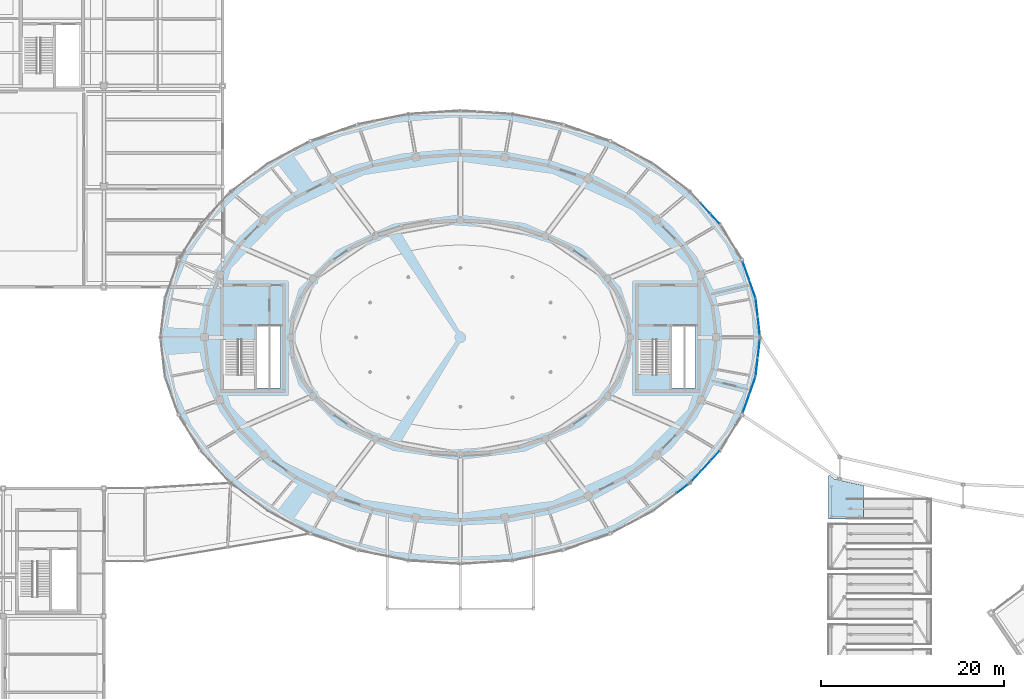
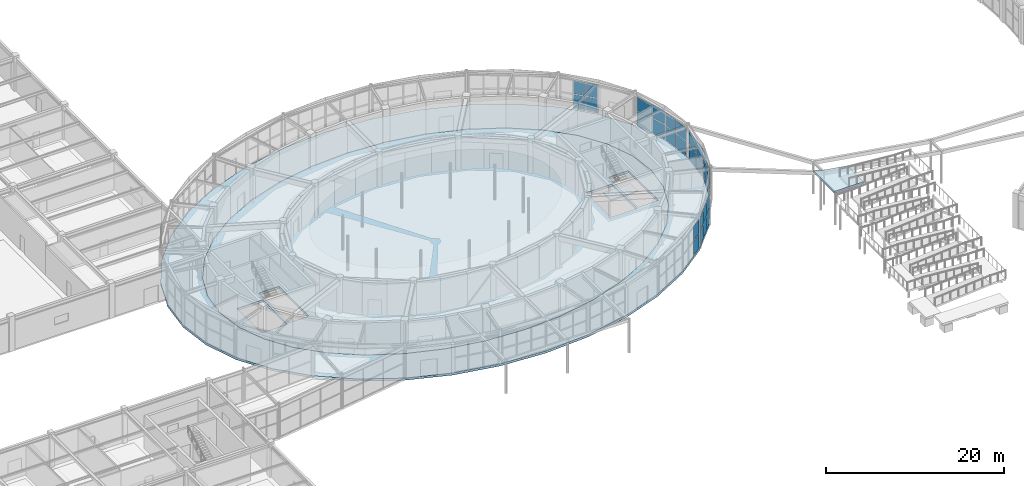
# One storey, part 80 of 108: 28 plates, 4 slabs, 9 elements without a shape of their own.
"""IFC4 building model written with IfcOpenShell, lengths in metres."""

from ifc_helpers import new_model, si_unit, direction, frame, origin, origin_2d, place, context, subcontext, project, spatial, polyline, rectangle, outline, extrude, material, layer, layer_set, type_object, element, aggregate, save


model = new_model("IFC4")

# Units and contexts
model_context = context("Model", 3, precision=1e-05, world=origin(), true_north=direction((0.0, 1.0)))
body_context = subcontext(model_context, "Body", "Model", "MODEL_VIEW")
ifc_project = project(units=[si_unit("LENGTHUNIT", "METRE"), si_unit("AREAUNIT", "SQUARE_METRE"), si_unit("VOLUMEUNIT", "CUBIC_METRE"), si_unit("PLANEANGLEUNIT", "RADIAN"), si_unit("MASSUNIT", "GRAM", prefix="KILO")], contexts=[model_context])

# Site, building, storey
site_placement = place(None, origin())
site = spatial("IfcSite", under=ifc_project, at=site_placement, CompositionType="ELEMENT")
building_placement = place(site_placement, origin())
building = spatial("IfcBuilding", under=site, at=building_placement, Name="Tarnveldt Headland Concert Hall", CompositionType="ELEMENT")
storey_placement = place(building_placement, origin())
storey = spatial("IfcBuildingStorey", under=building, at=storey_placement, Name="L00", CompositionType="ELEMENT", Elevation=0.0)

# Curtain wall, plates
ifc_material_1 = material(Name="Marine-anodised aluminium EN AW-6063-T6", Category="aluminium")
curtain_wall_type = type_object("IfcCurtainWallType", Name="CW-F1", PredefinedType="NOTDEFINED", material=ifc_material_1)
curtain_wall_1_placement = place(storey_placement, origin())
curtain_wall_1 = element("IfcCurtainWall", 1, at=curtain_wall_1_placement, inside=storey, type_object=curtain_wall_type, Name="Curtain wall CW-L00-001", PredefinedType="NOTDEFINED")
ifc_material_2 = material(Name="Acoustic laminated low-iron double glazing", Category="glass")
ifc_layer_1 = layer(ifc_material_2, 0.031982421875, Name="Acoustic laminated low-iron double glazing", Category="glass")
ifc_layer_set_1 = layer_set([ifc_layer_1], Name="Acoustic laminated low-iron double glazing")
plate_type = type_object("IfcPlateType", Name="PN-F1", PredefinedType="CURTAIN_PANEL", material=ifc_layer_set_1)
plate_1_placement = place(storey_placement, frame((116.155517578125, 55.747802734375, 0.097412109375), z_axis=(0.0, 0.0, 1.0), x_axis=(-0.114937150493, 0.9933727656, 0.0)))
plate_1 = element("IfcPlate", 2, at=plate_1_placement, type_object=plate_type, Name="Glazed panel CW-L00-001-1-1", PredefinedType="CURTAIN_PANEL", context=body_context, shape_type="SweptSolid", body=[
    extrude(rectangle(XDim=1.906982421875, YDim=0.031982421875, at=origin_2d()), origin(), (0.0, 0.0, 1.0), 1.9443359375),
])
plate_2_placement = place(storey_placement, frame((116.155517578125, 55.747802734375, 2.136962890625), z_axis=(0.0, 0.0, 1.0), x_axis=(-0.114937150493, 0.9933727656, 0.0)))
plate_2 = element("IfcPlate", 3, at=plate_2_placement, type_object=plate_type, Name="Glazed panel CW-L00-001-1-2", PredefinedType="CURTAIN_PANEL", context=body_context, shape_type="SweptSolid", body=[
    extrude(rectangle(XDim=1.906982421875, YDim=0.031982421875, at=origin_2d()), origin(), (0.0, 0.0, 1.0), 1.78369140625),
])
plate_3_placement = place(storey_placement, frame((115.922607421875, 57.760498046875, 0.097412109375), z_axis=(0.0, 0.0, 1.0), x_axis=(-0.114937150493, 0.9933727656, 0.0)))
plate_3 = element("IfcPlate", 4, at=plate_3_placement, type_object=plate_type, Name="Glazed panel CW-L00-001-2-1", PredefinedType="CURTAIN_PANEL", context=body_context, shape_type="SweptSolid", body=[
    extrude(rectangle(XDim=1.906982421875, YDim=0.031982421875, at=origin_2d()), origin(), (0.0, 0.0, 1.0), 1.9443359375),
])
plate_4_placement = place(storey_placement, frame((115.922607421875, 57.760498046875, 2.136962890625), z_axis=(0.0, 0.0, 1.0), x_axis=(-0.114937150493, 0.9933727656, 0.0)))
plate_4 = element("IfcPlate", 5, at=plate_4_placement, type_object=plate_type, Name="Glazed panel CW-L00-001-2-2", PredefinedType="CURTAIN_PANEL", context=body_context, shape_type="SweptSolid", body=[
    extrude(rectangle(XDim=1.906982421875, YDim=0.031982421875, at=origin_2d()), origin(), (0.0, 0.0, 1.0), 1.78369140625),
])
aggregate(curtain_wall_1, [plate_1, plate_2, plate_3, plate_4])

curtain_wall_2_placement = place(storey_placement, origin())
curtain_wall_2 = element("IfcCurtainWall", 6, at=curtain_wall_2_placement, inside=storey, type_object=curtain_wall_type, Name="Curtain wall CW-L00-002", PredefinedType="NOTDEFINED")
plate_5_placement = place(storey_placement, frame((115.44189453125, 59.8212890625, 0.097412109375), z_axis=(0.0, 0.0, 1.0), x_axis=(-0.334037180034, 0.94255989855, 0.0)))
plate_5 = element("IfcPlate", 7, at=plate_5_placement, type_object=plate_type, Name="Glazed panel CW-L00-002-1-1", PredefinedType="CURTAIN_PANEL", context=body_context, shape_type="SweptSolid", body=[
    extrude(rectangle(XDim=1.954345703125, YDim=0.031982421875, at=origin_2d()), origin(), (0.0, 0.0, 1.0), 2.0078125),
])
plate_6_placement = place(storey_placement, frame((115.44189453125, 59.8212890625, 2.2001953125), z_axis=(0.0, 0.0, 1.0), x_axis=(-0.334037180034, 0.94255989855, 0.0)))
plate_6 = element("IfcPlate", 8, at=plate_6_placement, type_object=plate_type, Name="Glazed panel CW-L00-002-1-2", PredefinedType="CURTAIN_PANEL", context=body_context, shape_type="SweptSolid", body=[
    extrude(rectangle(XDim=1.954345703125, YDim=0.031982421875, at=origin_2d()), origin(), (0.0, 0.0, 1.0), 1.84228515625),
])
plate_7_placement = place(storey_placement, frame((114.74951171875, 61.775634765625, 0.097412109375), z_axis=(0.0, 0.0, 1.0), x_axis=(-0.334037180034, 0.94255989855, 0.0)))
plate_7 = element("IfcPlate", 9, at=plate_7_placement, type_object=plate_type, Name="Glazed panel CW-L00-002-2-1", PredefinedType="CURTAIN_PANEL", context=body_context, shape_type="SweptSolid", body=[
    extrude(rectangle(XDim=1.954345703125, YDim=0.031982421875, at=origin_2d()), origin(), (0.0, 0.0, 1.0), 2.0078125),
])
plate_8_placement = place(storey_placement, frame((114.74951171875, 61.775634765625, 2.2001953125), z_axis=(0.0, 0.0, 1.0), x_axis=(-0.334037180034, 0.94255989855, 0.0)))
plate_8 = element("IfcPlate", 10, at=plate_8_placement, type_object=plate_type, Name="Glazed panel CW-L00-002-2-2", PredefinedType="CURTAIN_PANEL", context=body_context, shape_type="SweptSolid", body=[
    extrude(rectangle(XDim=1.954345703125, YDim=0.031982421875, at=origin_2d()), origin(), (0.0, 0.0, 1.0), 1.84228515625),
])
aggregate(curtain_wall_2, [plate_5, plate_6, plate_7, plate_8])

curtain_wall_3_placement = place(storey_placement, origin())
curtain_wall_3 = element("IfcCurtainWall", 11, at=curtain_wall_3_placement, inside=storey, type_object=curtain_wall_type, Name="Curtain wall CW-L00-003", PredefinedType="NOTDEFINED")
plate_9_placement = place(storey_placement, frame((111.364013671875, 67.48486328125, 0.097412109375), z_axis=(0.0, 0.0, 1.0), x_axis=(-0.67945411016, 0.733718005903, 0.0)))
plate_9 = element("IfcPlate", 12, at=plate_9_placement, type_object=plate_type, Name="Glazed panel CW-L00-003-1-1", PredefinedType="CURTAIN_PANEL", context=body_context, shape_type="SweptSolid", body=[
    extrude(rectangle(XDim=1.3955078125, YDim=0.031982421875, at=origin_2d()), origin(), (0.0, 0.0, 1.0), 2.0078125),
])
plate_10_placement = place(storey_placement, frame((111.364013671875, 67.48486328125, 2.2001953125), z_axis=(0.0, 0.0, 1.0), x_axis=(-0.67945411016, 0.733718005903, 0.0)))
plate_10 = element("IfcPlate", 13, at=plate_10_placement, type_object=plate_type, Name="Glazed panel CW-L00-003-1-2", PredefinedType="CURTAIN_PANEL", context=body_context, shape_type="SweptSolid", body=[
    extrude(rectangle(XDim=1.3955078125, YDim=0.031982421875, at=origin_2d()), origin(), (0.0, 0.0, 1.0), 1.84228515625),
])
plate_11_placement = place(storey_placement, frame((110.3349609375, 68.595947265625, 0.097412109375), z_axis=(0.0, 0.0, 1.0), x_axis=(-0.67945411016, 0.733718005903, 0.0)))
plate_11 = element("IfcPlate", 14, at=plate_11_placement, type_object=plate_type, Name="Glazed panel CW-L00-003-2-1", PredefinedType="CURTAIN_PANEL", context=body_context, shape_type="SweptSolid", body=[
    extrude(rectangle(XDim=1.3955078125, YDim=0.031982421875, at=origin_2d()), origin(), (0.0, 0.0, 1.0), 2.0078125),
])
plate_12_placement = place(storey_placement, frame((110.3349609375, 68.595947265625, 2.2001953125), z_axis=(0.0, 0.0, 1.0), x_axis=(-0.67945411016, 0.733718005903, 0.0)))
plate_12 = element("IfcPlate", 15, at=plate_12_placement, type_object=plate_type, Name="Glazed panel CW-L00-003-2-2", PredefinedType="CURTAIN_PANEL", context=body_context, shape_type="SweptSolid", body=[
    extrude(rectangle(XDim=1.3955078125, YDim=0.031982421875, at=origin_2d()), origin(), (0.0, 0.0, 1.0), 1.84228515625),
])
aggregate(curtain_wall_3, [plate_9, plate_10, plate_11, plate_12])

curtain_wall_4_placement = place(storey_placement, origin())
curtain_wall_4 = element("IfcCurtainWall", 16, at=curtain_wall_4_placement, inside=storey, type_object=curtain_wall_type, Name="Curtain wall CW-L00-023", PredefinedType="NOTDEFINED")
plate_13_placement = place(storey_placement, frame((107.796142578125, 37.93115234375, 0.097412109375), z_axis=(0.0, 0.0, 1.0), x_axis=(0.797657618631, 0.603110539984, 0.0)))
plate_13 = element("IfcPlate", 17, at=plate_13_placement, type_object=plate_type, Name="Glazed panel CW-L00-023-3-1", PredefinedType="CURTAIN_PANEL", context=body_context, shape_type="SweptSolid", body=[
    extrude(rectangle(XDim=1.47607421875, YDim=0.031982421875, at=origin_2d()), origin(), (0.0, 0.0, 1.0), 2.0078125),
])
plate_14_placement = place(storey_placement, frame((107.796142578125, 37.93115234375, 2.2001953125), z_axis=(0.0, 0.0, 1.0), x_axis=(0.797657618631, 0.603110539984, 0.0)))
plate_14 = element("IfcPlate", 18, at=plate_14_placement, type_object=plate_type, Name="Glazed panel CW-L00-023-3-2", PredefinedType="CURTAIN_PANEL", context=body_context, shape_type="SweptSolid", body=[
    extrude(rectangle(XDim=1.47607421875, YDim=0.031982421875, at=origin_2d()), origin(), (0.0, 0.0, 1.0), 1.84228515625),
])
aggregate(curtain_wall_4, [plate_13, plate_14])

curtain_wall_5_placement = place(storey_placement, origin())
curtain_wall_5 = element("IfcCurtainWall", 19, at=curtain_wall_5_placement, inside=storey, type_object=curtain_wall_type, Name="Curtain wall CW-L00-024", PredefinedType="NOTDEFINED")
plate_15_placement = place(storey_placement, frame((109.305908203125, 39.29296875, 0.097412109375), z_axis=(0.0, 0.0, 1.0), x_axis=(0.67945411016, 0.733718005903, 0.0)))
plate_15 = element("IfcPlate", 20, at=plate_15_placement, type_object=plate_type, Name="Glazed panel CW-L00-024-1-1", PredefinedType="CURTAIN_PANEL", context=body_context, shape_type="SweptSolid", body=[
    extrude(rectangle(XDim=1.3955078125, YDim=0.031982421875, at=origin_2d()), origin(), (0.0, 0.0, 1.0), 2.0078125),
])
plate_16_placement = place(storey_placement, frame((109.305908203125, 39.29296875, 2.2001953125), z_axis=(0.0, 0.0, 1.0), x_axis=(0.67945411016, 0.733718005903, 0.0)))
plate_16 = element("IfcPlate", 21, at=plate_16_placement, type_object=plate_type, Name="Glazed panel CW-L00-024-1-2", PredefinedType="CURTAIN_PANEL", context=body_context, shape_type="SweptSolid", body=[
    extrude(rectangle(XDim=1.3955078125, YDim=0.031982421875, at=origin_2d()), origin(), (0.0, 0.0, 1.0), 1.84228515625),
])
plate_17_placement = place(storey_placement, frame((110.3349609375, 40.404052734375, 0.097412109375), z_axis=(0.0, 0.0, 1.0), x_axis=(0.67945411016, 0.733718005903, 0.0)))
plate_17 = element("IfcPlate", 22, at=plate_17_placement, type_object=plate_type, Name="Glazed panel CW-L00-024-2-1", PredefinedType="CURTAIN_PANEL", context=body_context, shape_type="SweptSolid", body=[
    extrude(rectangle(XDim=1.3955078125, YDim=0.031982421875, at=origin_2d()), origin(), (0.0, 0.0, 1.0), 2.0078125),
])
plate_18_placement = place(storey_placement, frame((110.3349609375, 40.404052734375, 2.2001953125), z_axis=(0.0, 0.0, 1.0), x_axis=(0.67945411016, 0.733718005903, 0.0)))
plate_18 = element("IfcPlate", 23, at=plate_18_placement, type_object=plate_type, Name="Glazed panel CW-L00-024-2-2", PredefinedType="CURTAIN_PANEL", context=body_context, shape_type="SweptSolid", body=[
    extrude(rectangle(XDim=1.3955078125, YDim=0.031982421875, at=origin_2d()), origin(), (0.0, 0.0, 1.0), 1.84228515625),
])
plate_19_placement = place(storey_placement, frame((111.364013671875, 41.51513671875, 0.097412109375), z_axis=(0.0, 0.0, 1.0), x_axis=(0.67945411016, 0.733718005903, 0.0)))
plate_19 = element("IfcPlate", 24, at=plate_19_placement, type_object=plate_type, Name="Glazed panel CW-L00-024-3-1", PredefinedType="CURTAIN_PANEL", context=body_context, shape_type="SweptSolid", body=[
    extrude(rectangle(XDim=1.3955078125, YDim=0.031982421875, at=origin_2d()), origin(), (0.0, 0.0, 1.0), 2.0078125),
])
plate_20_placement = place(storey_placement, frame((111.364013671875, 41.51513671875, 2.2001953125), z_axis=(0.0, 0.0, 1.0), x_axis=(0.67945411016, 0.733718005903, 0.0)))
plate_20 = element("IfcPlate", 25, at=plate_20_placement, type_object=plate_type, Name="Glazed panel CW-L00-024-3-2", PredefinedType="CURTAIN_PANEL", context=body_context, shape_type="SweptSolid", body=[
    extrude(rectangle(XDim=1.3955078125, YDim=0.031982421875, at=origin_2d()), origin(), (0.0, 0.0, 1.0), 1.84228515625),
])
aggregate(curtain_wall_5, [plate_15, plate_16, plate_17, plate_18, plate_19, plate_20])

curtain_wall_6_placement = place(storey_placement, origin())
curtain_wall_6 = element("IfcCurtainWall", 26, at=curtain_wall_6_placement, inside=storey, type_object=curtain_wall_type, Name="Curtain wall CW-L00-025", PredefinedType="NOTDEFINED")
plate_21_placement = place(storey_placement, frame((114.74951171875, 47.224365234375, 0.097412109375), z_axis=(0.0, 0.0, 1.0), x_axis=(0.334037180034, 0.94255989855, 0.0)))
plate_21 = element("IfcPlate", 27, at=plate_21_placement, type_object=plate_type, Name="Glazed panel CW-L00-025-1-1", PredefinedType="CURTAIN_PANEL", context=body_context, shape_type="SweptSolid", body=[
    extrude(rectangle(XDim=1.954345703125, YDim=0.031982421875, at=origin_2d()), origin(), (0.0, 0.0, 1.0), 1.9443359375),
])
plate_22_placement = place(storey_placement, frame((114.74951171875, 47.224365234375, 2.136962890625), z_axis=(0.0, 0.0, 1.0), x_axis=(0.334037180034, 0.94255989855, 0.0)))
plate_22 = element("IfcPlate", 28, at=plate_22_placement, type_object=plate_type, Name="Glazed panel CW-L00-025-1-2", PredefinedType="CURTAIN_PANEL", context=body_context, shape_type="SweptSolid", body=[
    extrude(rectangle(XDim=1.954345703125, YDim=0.031982421875, at=origin_2d()), origin(), (0.0, 0.0, 1.0), 1.78369140625),
])
plate_23_placement = place(storey_placement, frame((115.44189453125, 49.1787109375, 0.097412109375), z_axis=(0.0, 0.0, 1.0), x_axis=(0.334037180034, 0.94255989855, 0.0)))
plate_23 = element("IfcPlate", 29, at=plate_23_placement, type_object=plate_type, Name="Glazed panel CW-L00-025-2-1", PredefinedType="CURTAIN_PANEL", context=body_context, shape_type="SweptSolid", body=[
    extrude(rectangle(XDim=1.954345703125, YDim=0.031982421875, at=origin_2d()), origin(), (0.0, 0.0, 1.0), 1.9443359375),
])
plate_24_placement = place(storey_placement, frame((115.44189453125, 49.1787109375, 2.136962890625), z_axis=(0.0, 0.0, 1.0), x_axis=(0.334037180034, 0.94255989855, 0.0)))
plate_24 = element("IfcPlate", 30, at=plate_24_placement, type_object=plate_type, Name="Glazed panel CW-L00-025-2-2", PredefinedType="CURTAIN_PANEL", context=body_context, shape_type="SweptSolid", body=[
    extrude(rectangle(XDim=1.954345703125, YDim=0.031982421875, at=origin_2d()), origin(), (0.0, 0.0, 1.0), 1.78369140625),
])
aggregate(curtain_wall_6, [plate_21, plate_22, plate_23, plate_24])

curtain_wall_7_placement = place(storey_placement, origin())
curtain_wall_7 = element("IfcCurtainWall", 31, at=curtain_wall_7_placement, inside=storey, type_object=curtain_wall_type, Name="Curtain wall CW-L00-026", PredefinedType="NOTDEFINED")
plate_25_placement = place(storey_placement, frame((115.922607421875, 51.239501953125, 0.097412109375), z_axis=(0.0, 0.0, 1.0), x_axis=(0.114937150493, 0.9933727656, 0.0)))
plate_25 = element("IfcPlate", 32, at=plate_25_placement, type_object=plate_type, Name="Glazed panel CW-L00-026-1-1", PredefinedType="CURTAIN_PANEL", context=body_context, shape_type="SweptSolid", body=[
    extrude(rectangle(XDim=1.906982421875, YDim=0.031982421875, at=origin_2d()), origin(), (0.0, 0.0, 1.0), 1.9443359375),
])
plate_26_placement = place(storey_placement, frame((115.922607421875, 51.239501953125, 2.136962890625), z_axis=(0.0, 0.0, 1.0), x_axis=(0.114937150493, 0.9933727656, 0.0)))
plate_26 = element("IfcPlate", 33, at=plate_26_placement, type_object=plate_type, Name="Glazed panel CW-L00-026-1-2", PredefinedType="CURTAIN_PANEL", context=body_context, shape_type="SweptSolid", body=[
    extrude(rectangle(XDim=1.906982421875, YDim=0.031982421875, at=origin_2d()), origin(), (0.0, 0.0, 1.0), 1.78369140625),
])
plate_27_placement = place(storey_placement, frame((116.155517578125, 53.252197265625, 0.097412109375), z_axis=(0.0, 0.0, 1.0), x_axis=(0.114937150493, 0.9933727656, 0.0)))
plate_27 = element("IfcPlate", 34, at=plate_27_placement, type_object=plate_type, Name="Glazed panel CW-L00-026-2-1", PredefinedType="CURTAIN_PANEL", context=body_context, shape_type="SweptSolid", body=[
    extrude(rectangle(XDim=1.906982421875, YDim=0.031982421875, at=origin_2d()), origin(), (0.0, 0.0, 1.0), 1.9443359375),
])
plate_28_placement = place(storey_placement, frame((116.155517578125, 53.252197265625, 2.136962890625), z_axis=(0.0, 0.0, 1.0), x_axis=(0.114937150493, 0.9933727656, 0.0)))
plate_28 = element("IfcPlate", 35, at=plate_28_placement, type_object=plate_type, Name="Glazed panel CW-L00-026-2-2", PredefinedType="CURTAIN_PANEL", context=body_context, shape_type="SweptSolid", body=[
    extrude(rectangle(XDim=1.906982421875, YDim=0.031982421875, at=origin_2d()), origin(), (0.0, 0.0, 1.0), 1.78369140625),
])
aggregate(curtain_wall_7, [plate_25, plate_26, plate_27, plate_28])

# Slabs
ifc_material_3 = material(Name="Concrete C40/50", Category="concrete")
ifc_layer_2 = layer(ifc_material_3, 0.300048828125, Name="Concrete C40/50", Category="concrete")
ifc_layer_set_2 = layer_set([ifc_layer_2], Name="Concrete C40/50")
slab_type_1 = type_object("IfcSlabType", Name="SL-FL300", PredefinedType="FLOOR", material=ifc_layer_set_2)
slab_1_placement = place(storey_placement, frame((0.0, 0.0, -0.300048828125)))
element("IfcSlab", 36, at=slab_1_placement, inside=storey, type_object=slab_type_1, Name="Elliptical foyer ring floor slab L00", PredefinedType="FLOOR", context=body_context, shape_type="SweptSolid", body=[
    extrude(outline(polyline([(115.8017578125, 50.193603515625), (116.300048828125, 54.5), (115.8017578125, 58.806396484375), (114.322021484375, 62.982177734375), (111.905517578125, 66.89990234375), (108.626220703125, 70.441162109375), (104.58349609375, 73.497802734375), (99.89990234375, 75.977294921875), (94.71826171875, 77.804443359375), (89.19580078125, 78.923095703125), (83.5, 79.300048828125), (77.80419921875, 78.923095703125), (72.28173828125, 77.804443359375), (67.10009765625, 75.977294921875), (62.41650390625, 73.497802734375), (58.373779296875, 70.441162109375), (55.094482421875, 66.89990234375), (52.677978515625, 62.982177734375), (51.1982421875, 58.806396484375), (50.699951171875, 54.5), (51.1982421875, 50.193603515625), (52.677978515625, 46.017822265625), (55.094482421875, 42.10009765625), (58.373779296875, 38.558837890625), (62.41650390625, 35.502197265625), (67.10009765625, 33.022705078125), (72.28173828125, 31.195556640625), (77.80419921875, 30.076904296875), (83.5, 29.699951171875), (89.19580078125, 30.076904296875), (94.71826171875, 31.195556640625), (99.89990234375, 33.022705078125), (104.58349609375, 35.502197265625), (108.626220703125, 38.558837890625), (111.905517578125, 42.10009765625), (114.322021484375, 46.017822265625), (115.8017578125, 50.193603515625)]), holes=[polyline([(111.07470703125, 57.972900390625), (111.5, 54.5), (111.07470703125, 51.027099609375), (109.811279296875, 47.65966796875), (107.748779296875, 44.5), (104.94921875, 41.644287109375), (101.498046875, 39.17919921875), (97.5, 37.179443359375), (93.07666015625, 35.7060546875), (88.362060546875, 34.8037109375), (83.5, 34.5), (78.637939453125, 34.8037109375), (73.92333984375, 35.7060546875), (69.5, 37.179443359375), (65.501953125, 39.17919921875), (62.05078125, 41.644287109375), (59.251220703125, 44.5), (57.188720703125, 47.65966796875), (55.92529296875, 51.027099609375), (55.5, 54.5), (55.92529296875, 57.972900390625), (57.188720703125, 61.34033203125), (59.251220703125, 64.5), (62.05078125, 67.355712890625), (65.501953125, 69.82080078125), (69.5, 71.820556640625), (73.92333984375, 73.2939453125), (78.637939453125, 74.1962890625), (83.5, 74.5), (88.362060546875, 74.1962890625), (93.07666015625, 73.2939453125), (97.5, 71.820556640625), (101.498046875, 69.82080078125), (104.94921875, 67.355712890625), (107.748779296875, 64.5), (109.811279296875, 61.34033203125), (111.07470703125, 57.972900390625)])]), origin(), (0.0, 0.0, 1.0), 0.300048828125),
])
slab_2_placement = place(storey_placement, frame((0.0, 0.0, -0.300048828125)))
element("IfcSlab", 37, at=slab_2_placement, inside=storey, type_object=slab_type_1, Name="Symphony drum floor slab L00", PredefinedType="FLOOR", context=body_context, shape_type="SweptSolid", body=[
    extrude(outline(polyline([(104.94921875, 41.644287109375), (107.748779296875, 44.5), (109.811279296875, 47.65966796875), (111.07470703125, 51.027099609375), (111.5, 54.5), (111.07470703125, 57.972900390625), (109.811279296875, 61.34033203125), (107.748779296875, 64.5), (104.94921875, 67.355712890625), (101.498046875, 69.82080078125), (97.5, 71.820556640625), (93.07666015625, 73.2939453125), (88.362060546875, 74.1962890625), (83.5, 74.5), (78.637939453125, 74.1962890625), (73.92333984375, 73.2939453125), (69.5, 71.820556640625), (65.501953125, 69.82080078125), (62.05078125, 67.355712890625), (59.251220703125, 64.5), (57.188720703125, 61.34033203125), (55.92529296875, 57.972900390625), (55.5, 54.5), (55.92529296875, 51.027099609375), (57.188720703125, 47.65966796875), (59.251220703125, 44.5), (62.05078125, 41.644287109375), (65.501953125, 39.17919921875), (69.5, 37.179443359375), (73.92333984375, 35.7060546875), (78.637939453125, 34.8037109375), (83.5, 34.5), (88.362060546875, 34.8037109375), (93.07666015625, 35.7060546875), (97.5, 37.179443359375), (101.498046875, 39.17919921875), (104.94921875, 41.644287109375)]), holes=[polyline([(60.9599609375, 48.780029296875), (57.580078125, 48.780029296875), (57.580078125, 54.280029296875), (60.9599609375, 54.280029296875), (60.9599609375, 48.780029296875)]), polyline([(61.239990234375, 48.9599609375), (61.239990234375, 55.659912109375), (63.840087890625, 55.659912109375), (63.840087890625, 48.9599609375), (61.239990234375, 48.9599609375)]), polyline([(102.97998046875, 54.280029296875), (106.360107421875, 54.280029296875), (106.360107421875, 48.780029296875), (102.97998046875, 48.780029296875), (102.97998046875, 54.280029296875)]), polyline([(109.239990234375, 55.659912109375), (109.239990234375, 48.9599609375), (106.639892578125, 48.9599609375), (106.639892578125, 55.659912109375), (109.239990234375, 55.659912109375)])]), origin(), (0.0, 0.0, 1.0), 0.300048828125),
])

# Ramp, slab
ramp_type = type_object("IfcRampType", Name="RM-BRG240", PredefinedType="HALF_TURN_RAMP", material=ifc_material_3)
ramp_placement = place(storey_placement, origin())
ramp = element("IfcRamp", 38, at=ramp_placement, inside=storey, type_object=ramp_type, Name="Forecourt 1:12 accessible promenade ramp", PredefinedType="HALF_TURN_RAMP")
ifc_layer_3 = layer(ifc_material_3, 0.25, Name="Concrete C40/50", Category="concrete")
ifc_layer_set_3 = layer_set([ifc_layer_3], Name="Concrete C40/50")
slab_type_2 = type_object("IfcSlabType", Name="SL-LND250", PredefinedType="LANDING", material=ifc_layer_set_3)
placement = place(building_placement, frame((0.0, 0.0, 4.800048828125)))
slab_3_placement = place(placement, frame((0.0, 0.0, -0.25)))
slab_3 = element("IfcSlab", 39, at=slab_3_placement, type_object=slab_type_2, Name="Forecourt ramp top bridge arrival landing", PredefinedType="LANDING", context=body_context, shape_type="SweptSolid", body=[
    extrude(outline(polyline([(127.60009765625, 34.6298828125), (123.800048828125, 34.6298828125), (123.800048828125, 39.39990234375), (123.91748046875, 39.39990234375), (124.42529296875, 38.99609375), (127.60009765625, 38.29052734375), (127.60009765625, 34.6298828125)])), origin(), (0.0, 0.0, 1.0), 0.25),
])
aggregate(ramp, [slab_3])

# Stair, slab
stair_type = type_object("IfcStairType", Name="ST-CORE480", PredefinedType="HALF_TURN_STAIR", material=ifc_material_3)
stair_placement = place(storey_placement, origin())
stair = element("IfcStair", 40, at=stair_placement, inside=storey, type_object=stair_type, Name="Exit stair STR-C2-L00", PredefinedType="HALF_TURN_STAIR")
ifc_layer_4 = layer(ifc_material_3, 0.179931640625, Name="Concrete C40/50", Category="concrete")
ifc_layer_set_4 = layer_set([ifc_layer_4], Name="Concrete C40/50")
slab_type_3 = type_object("IfcSlabType", Name="SL-STLND180", PredefinedType="LANDING", material=ifc_layer_set_4)
slab_4_placement = place(storey_placement, frame((0.0, 0.0, 2.219970703125)))
slab_4 = element("IfcSlab", 41, at=slab_4_placement, type_object=slab_type_3, Name="Stair half-landing STR-C2-L00", PredefinedType="LANDING", context=body_context, shape_type="SweptSolid", body=[
    extrude(outline(polyline([(102.919921875, 48.719970703125), (106.47998046875, 48.719970703125), (106.47998046875, 50.43994140625), (102.919921875, 50.43994140625), (102.919921875, 48.719970703125)])), origin(), (0.0, 0.0, 1.0), 0.179931640625),
])
aggregate(stair, [slab_4])

save(model, "model.ifc")
